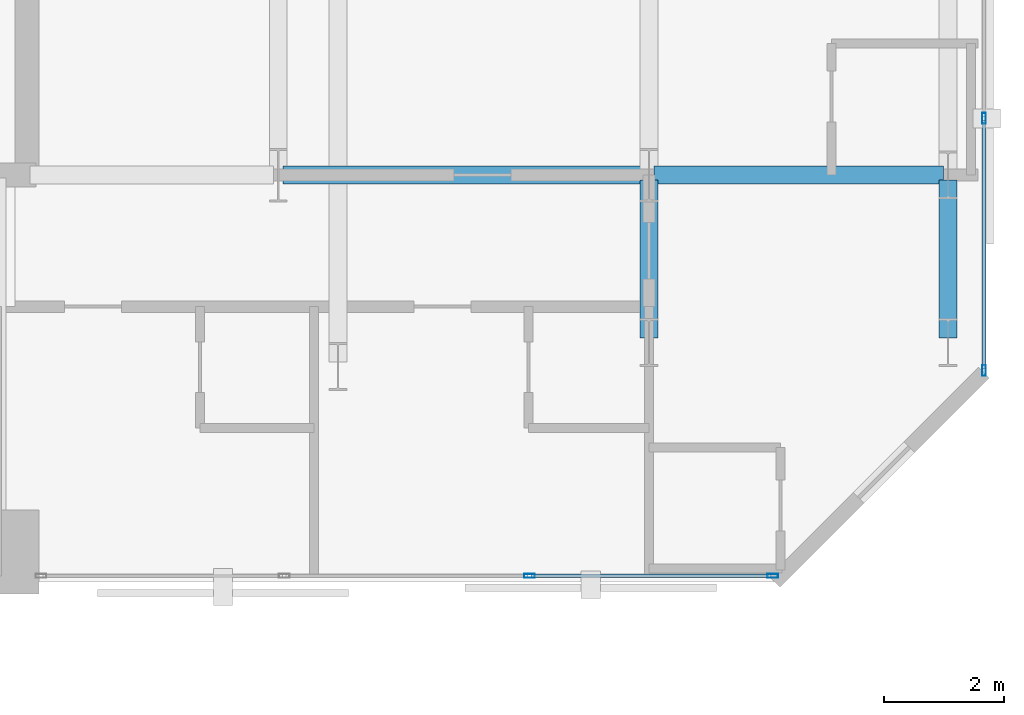
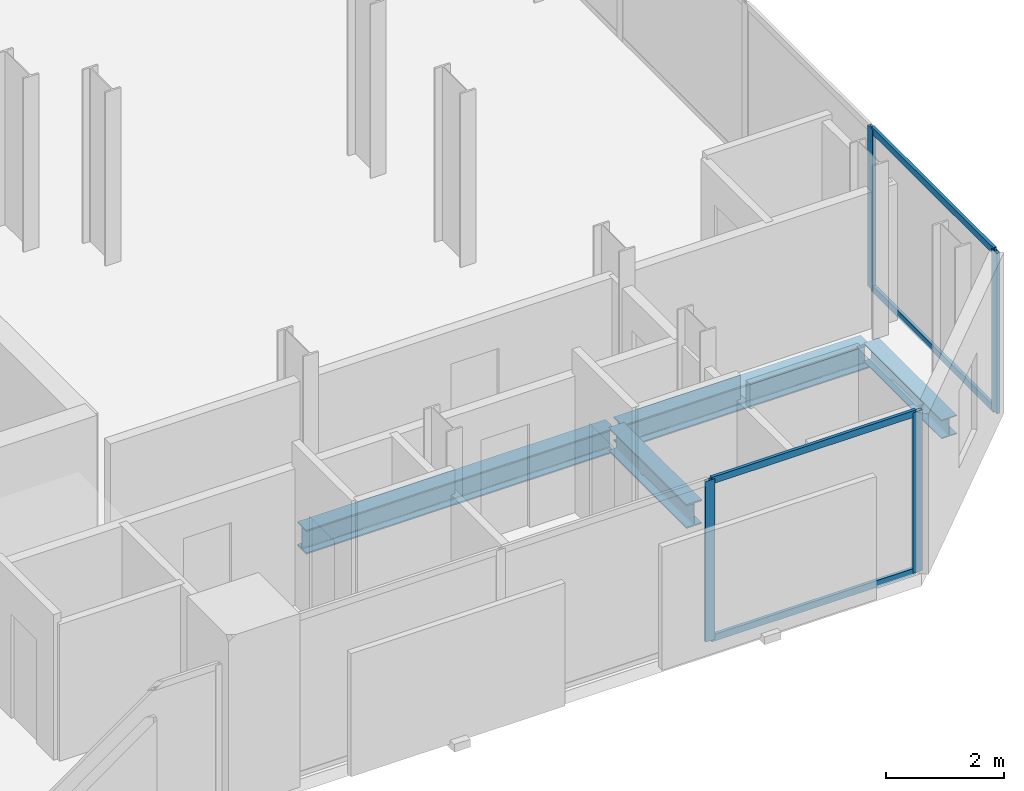
# One storey, part 16 of 32: 8 members, 4 beams, 2 elements without a shape of their own.
"""IFC4 building model written with IfcOpenShell, lengths in metres."""

from ifc_helpers import new_model, si_unit, direction, frame, origin, origin_2d, place, context, subcontext, project, spatial, hollow_rectangle, i_section, extrude, material, layer, layer_set, material_profile, profile_set, type_object, element, aggregate, save


model = new_model("IFC4")

# Units and contexts
model_context = context("Model", 3, precision=1e-05, world=origin(), true_north=direction((0.0, 1.0)))
body_context = subcontext(model_context, "Body", "Model", "MODEL_VIEW")
ifc_project = project(units=[si_unit("LENGTHUNIT", "METRE"), si_unit("AREAUNIT", "SQUARE_METRE"), si_unit("VOLUMEUNIT", "CUBIC_METRE"), si_unit("PLANEANGLEUNIT", "RADIAN"), si_unit("MASSUNIT", "GRAM", prefix="KILO")], contexts=[model_context])

# Site, building, storey
site_placement = place(None, origin())
site = spatial("IfcSite", under=ifc_project, at=site_placement, CompositionType="ELEMENT")
building_placement = place(site_placement, origin())
building = spatial("IfcBuilding", under=site, at=building_placement, Name="Catumbela Crestline Tower", CompositionType="ELEMENT")
storey_placement = place(building_placement, frame((0.0, 0.0, 65.4)))
storey = spatial("IfcBuildingStorey", under=building, at=storey_placement, Name="L16", CompositionType="ELEMENT", Elevation=65.4)

# Beams
ifc_material_1 = material(Name="Structural steel S355J2", Category="steel")
ifc_material_profile_1 = material_profile(ifc_material_1, i_section(OverallWidth=0.3, OverallDepth=0.5, WebThickness=0.0145, FlangeThickness=0.028, FilletRadius=0.027, at=origin_2d()), Name="HEB 500")
ifc_profile_set_1 = profile_set([ifc_material_profile_1], Name="Structural steel S355J2")
beam_type_1 = type_object("IfcBeamType", Name="BG-HEB500", PredefinedType="BEAM", material=ifc_profile_set_1)
beam_1_placement = place(storey_placement, frame((44.28, 30.8, -0.51), z_axis=(1.0, 0.0, 0.0), x_axis=(0.0, 1.0, 0.0)))
element("IfcBeam", 1, at=beam_1_placement, inside=storey, type_object=beam_type_1, Name="L16 Beam BM-L16-M11", PredefinedType="BEAM", context=body_context, shape_type="SweptSolid", body=[
    extrude(i_section(OverallWidth=0.3, OverallDepth=0.5, WebThickness=0.0145, FlangeThickness=0.028, FilletRadius=0.027, at=origin_2d()), origin(), (0.0, 0.0, 1.0), 6.04),
])
beam_2_placement = place(storey_placement, frame((50.48, 30.8, -0.51), z_axis=(1.0, 0.0, 0.0), x_axis=(0.0, 1.0, 0.0)))
element("IfcBeam", 2, at=beam_2_placement, inside=storey, type_object=beam_type_1, Name="L16 Beam BM-L16-M12", PredefinedType="BEAM", context=body_context, shape_type="SweptSolid", body=[
    extrude(i_section(OverallWidth=0.3, OverallDepth=0.5, WebThickness=0.0145, FlangeThickness=0.028, FilletRadius=0.027, at=origin_2d()), origin(), (0.0, 0.0, 1.0), 4.84),
])
beam_3_placement = place(storey_placement, frame((50.4, 28.08, -0.51), z_axis=(0.0, 1.0, 0.0), x_axis=(-1.0, 0.0, 0.0)))
element("IfcBeam", 3, at=beam_3_placement, inside=storey, type_object=beam_type_1, Name="L16 Beam BM-L16-SN37", PredefinedType="BEAM", context=body_context, shape_type="SweptSolid", body=[
    extrude(i_section(OverallWidth=0.3, OverallDepth=0.5, WebThickness=0.0145, FlangeThickness=0.028, FilletRadius=0.027, at=origin_2d()), origin(), (0.0, 0.0, 1.0), 2.64),
])

# Curtain wall, members
ifc_material_2 = material(Name="Aluminium alloy AW-6060-T66", Category="aluminium")
ifc_layer = layer(ifc_material_2, 0.18, Name="Aluminium alloy AW-6060-T66")
ifc_layer_set = layer_set([ifc_layer], Name="Aluminium alloy AW-6060-T66")
curtain_wall_type = type_object("IfcCurtainWallType", Name="CWU-Z1", PredefinedType="USERDEFINED", material=ifc_layer_set)
curtain_wall_1_placement = place(storey_placement, origin())
curtain_wall_1 = element("IfcCurtainWall", 4, at=curtain_wall_1_placement, inside=storey, type_object=curtain_wall_type, Name="L16 Unitised Curtain Wall CW-L16-E3S2", ObjectType="UNITISED", PredefinedType="USERDEFINED")
ifc_material_profile_2 = material_profile(ifc_material_2, hollow_rectangle(XDim=0.065, YDim=0.18, WallThickness=0.004, at=origin_2d()), Name="ALU 180x65x4")
ifc_profile_set_2 = profile_set([ifc_material_profile_2], Name="Aluminium alloy AW-6060-T66")
member_type_1 = type_object("IfcMemberType", Name="MUL-180X65", PredefinedType="MULLION", material=ifc_profile_set_2)
member_1_placement = place(storey_placement, frame((48.4, 24.1, 0.0), z_axis=(0.0, 0.0, 1.0), x_axis=(0.0, 1.0, 0.0)))
member_1 = element("IfcMember", 5, at=member_1_placement, type_object=member_type_1, Name="CWU-Z1 mullion 3", PredefinedType="MULLION", context=body_context, shape_type="SweptSolid", body=[
    extrude(hollow_rectangle(XDim=0.065, YDim=0.18, WallThickness=0.004, at=origin_2d()), origin(), (0.0, 0.0, 1.0), 3.33),
])
member_2_placement = place(storey_placement, frame((52.4675, 24.1, 0.0), z_axis=(0.0, 0.0, 1.0), x_axis=(0.0, 1.0, 0.0)))
member_2 = element("IfcMember", 6, at=member_2_placement, type_object=member_type_1, Name="CWU-Z1 mullion 4", PredefinedType="MULLION", context=body_context, shape_type="SweptSolid", body=[
    extrude(hollow_rectangle(XDim=0.065, YDim=0.18, WallThickness=0.004, at=origin_2d()), origin(), (0.0, 0.0, 1.0), 3.33),
])

curtain_wall_2_placement = place(storey_placement, origin())
curtain_wall_2 = element("IfcCurtainWall", 7, at=curtain_wall_2_placement, inside=storey, type_object=curtain_wall_type, Name="L16 Unitised Curtain Wall CW-L16-E5S1", ObjectType="UNITISED", PredefinedType="USERDEFINED")
member_3_placement = place(storey_placement, frame((56.0, 27.5325, 0.0), z_axis=(0.0, 0.0, 1.0), x_axis=(-1.0, 0.0, 0.0)))
member_3 = element("IfcMember", 8, at=member_3_placement, type_object=member_type_1, Name="CWU-Z1 mullion 1", PredefinedType="MULLION", context=body_context, shape_type="SweptSolid", body=[
    extrude(hollow_rectangle(XDim=0.065, YDim=0.18, WallThickness=0.004, at=origin_2d()), origin(), (0.0, 0.0, 1.0), 3.33),
])
member_4_placement = place(storey_placement, frame((56.0, 31.75, 0.0), z_axis=(0.0, 0.0, 1.0), x_axis=(-1.0, 0.0, 0.0)))
member_4 = element("IfcMember", 9, at=member_4_placement, type_object=member_type_1, Name="CWU-Z1 mullion 2", PredefinedType="MULLION", context=body_context, shape_type="SweptSolid", body=[
    extrude(hollow_rectangle(XDim=0.065, YDim=0.18, WallThickness=0.004, at=origin_2d()), origin(), (0.0, 0.0, 1.0), 3.33),
])

# Beam
ifc_material_profile_3 = material_profile(ifc_material_1, i_section(OverallWidth=0.3, OverallDepth=0.39, WebThickness=0.011, FlangeThickness=0.019, FilletRadius=0.027, at=origin_2d()), Name="HEA 400")
ifc_profile_set_3 = profile_set([ifc_material_profile_3], Name="Structural steel S355J2")
beam_type_2 = type_object("IfcBeamType", Name="BS-HEA400", PredefinedType="SPANDREL", material=ifc_profile_set_3)
beam_4_placement = place(storey_placement, frame((55.4, 28.08, -0.455), z_axis=(0.0, 1.0, 0.0), x_axis=(-1.0, 0.0, 0.0)))
element("IfcBeam", 10, at=beam_4_placement, inside=storey, type_object=beam_type_2, Name="L16 Spandrel SP-L16-SN40", PredefinedType="SPANDREL", context=body_context, shape_type="SweptSolid", body=[
    extrude(i_section(OverallWidth=0.3, OverallDepth=0.39, WebThickness=0.011, FlangeThickness=0.019, FilletRadius=0.027, at=origin_2d()), origin(), (0.0, 0.0, 1.0), 2.64),
])

# Member
ifc_material_profile_4 = material_profile(ifc_material_2, hollow_rectangle(XDim=0.06, YDim=0.14, WallThickness=0.004, at=origin_2d()), Name="ALU 140x60x4")
ifc_profile_set_4 = profile_set([ifc_material_profile_4], Name="Aluminium alloy AW-6060-T66")
member_type_2 = type_object("IfcMemberType", Name="TRN-140X60", PredefinedType="USERDEFINED", material=ifc_profile_set_4)
member_5_placement = place(storey_placement, frame((48.4325, 24.1, 0.03), z_axis=(1.0, 0.0, 0.0), x_axis=(0.0, 1.0, 0.0)))
member_5 = element("IfcMember", 11, at=member_5_placement, type_object=member_type_2, Name="CWU-Z1 transom 3.1", ObjectType="TRANSOM", PredefinedType="USERDEFINED", context=body_context, shape_type="SweptSolid", body=[
    extrude(hollow_rectangle(XDim=0.06, YDim=0.14, WallThickness=0.004, at=origin_2d()), origin(), (0.0, 0.0, 1.0), 4.0025),
])

member_6_placement = place(storey_placement, frame((48.4325, 24.1, 3.3), z_axis=(1.0, 0.0, 0.0), x_axis=(0.0, 1.0, 0.0)))
member_6 = element("IfcMember", 12, at=member_6_placement, type_object=member_type_2, Name="CWU-Z1 transom 3.2", ObjectType="TRANSOM", PredefinedType="USERDEFINED", context=body_context, shape_type="SweptSolid", body=[
    extrude(hollow_rectangle(XDim=0.06, YDim=0.14, WallThickness=0.004, at=origin_2d()), origin(), (0.0, 0.0, 1.0), 4.0025),
])

aggregate(curtain_wall_1, [member_1, member_2, member_5, member_6])

member_7_placement = place(storey_placement, frame((56.0, 27.565, 0.03), z_axis=(0.0, 1.0, 0.0), x_axis=(-1.0, 0.0, 0.0)))
member_7 = element("IfcMember", 13, at=member_7_placement, type_object=member_type_2, Name="CWU-Z1 transom 1.1", ObjectType="TRANSOM", PredefinedType="USERDEFINED", context=body_context, shape_type="SweptSolid", body=[
    extrude(hollow_rectangle(XDim=0.06, YDim=0.14, WallThickness=0.004, at=origin_2d()), origin(), (0.0, 0.0, 1.0), 4.1525),
])

member_8_placement = place(storey_placement, frame((56.0, 27.565, 3.3), z_axis=(0.0, 1.0, 0.0), x_axis=(-1.0, 0.0, 0.0)))
member_8 = element("IfcMember", 14, at=member_8_placement, type_object=member_type_2, Name="CWU-Z1 transom 1.2", ObjectType="TRANSOM", PredefinedType="USERDEFINED", context=body_context, shape_type="SweptSolid", body=[
    extrude(hollow_rectangle(XDim=0.06, YDim=0.14, WallThickness=0.004, at=origin_2d()), origin(), (0.0, 0.0, 1.0), 4.1525),
])

aggregate(curtain_wall_2, [member_3, member_4, member_7, member_8])

save(model, "model.ifc")
